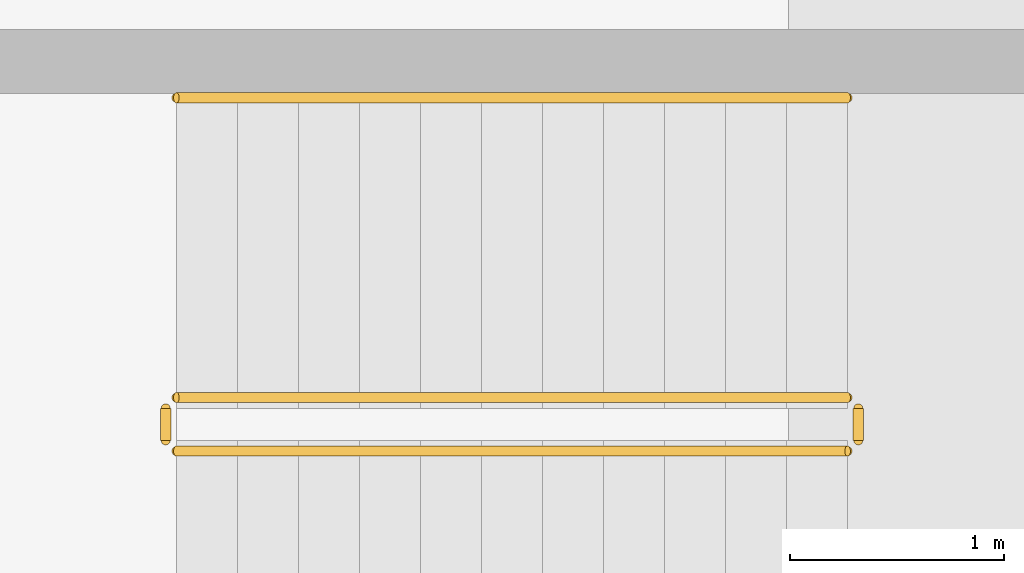
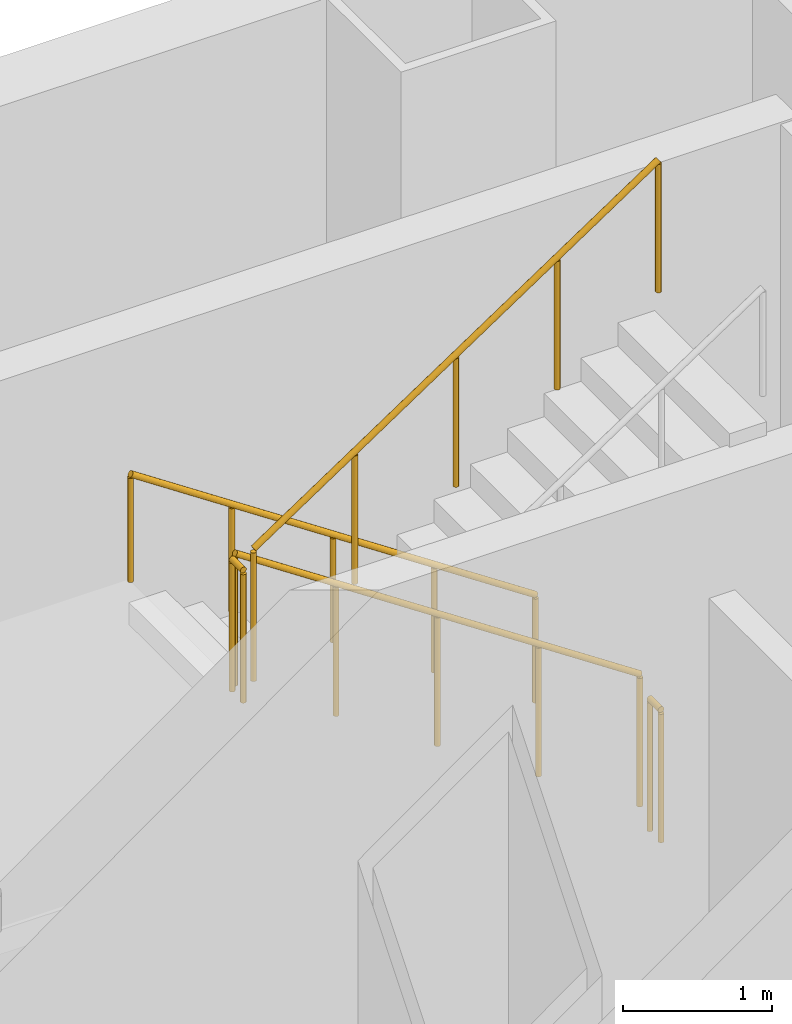
# One storey, part 10 of 11: 5 railings.
"""IFC4 building model written with IfcOpenShell, lengths in metres."""

import ifcopenshell
import ifcopenshell.guid

model = None  # the IFC model being written
_history = None  # IfcOwnerHistory: only IFC2X3 demands one
_inside = {}  # id of a spatial element -> (the spatial element, [elements in it])
_under = {}  # id of a project, library or spatial element -> (it, [spatial elements below it])
_declared = {}  # id of a project -> (the project, [libraries it declares])
_typed = {}  # id of a type object -> (the type object, [elements of that type])
_made_of = {}  # id of a material, layer set ... -> (it, [elements and type objects made of it])


def new_model(schema):
    """Start an empty IFC model of exactly this schema.

    Asked for "IFC4X3", IfcOpenShell would pick the latest addendum, in which some entities
    have other attributes; the version numbers below select the first issue.
    IFC2X3 requires an IfcOwnerHistory on every rooted entity: one is made here for all.
    """
    global model, _history
    if schema == "IFC4X3":
        model = ifcopenshell.file(schema_version=(4, 3, 0, 0))
    else:
        model = ifcopenshell.file(schema=schema)
    _inside.clear()
    _under.clear()
    _declared.clear()
    _typed.clear()
    _made_of.clear()
    _history = None
    if model.schema == "IFC2X3":
        org = make("IfcOrganization", Name="unknown")
        user = make(
            "IfcPersonAndOrganization",
            ThePerson=make("IfcPerson", FamilyName="unknown"),
            TheOrganization=org,
        )
        app = make(
            "IfcApplication",
            ApplicationDeveloper=org,
            Version="unknown",
            ApplicationFullName="unknown",
            ApplicationIdentifier="unknown",
        )
        _history = make(
            "IfcOwnerHistory",
            OwningUser=user,
            OwningApplication=app,
            ChangeAction="ADDED",
            CreationDate=0,
        )
    return model


def make(cls, **values):
    """One entity of the class cls with the attributes given. An attribute that is None is left unset."""
    return model.create_entity(
        cls, **{name: value for name, value in values.items() if value is not None}
    )


def rooted(cls, **values):
    """An entity with a GlobalId (a new one), such as an element, a storey or a relation."""
    return make(cls, GlobalId=ifcopenshell.guid.new(), OwnerHistory=_history, **values)


def si_unit(unit_type, name, prefix=None):
    """IfcSIUnit, for example si_unit("LENGTHUNIT", "METRE", prefix="MILLI")."""
    return make("IfcSIUnit", UnitType=unit_type, Prefix=prefix, Name=name)


def assignment(units):
    """IfcUnitAssignment: the units of a project."""
    return None if units is None else make("IfcUnitAssignment", Units=units)


def point(xyz):
    """IfcCartesianPoint."""
    return None if xyz is None else make("IfcCartesianPoint", Coordinates=xyz)


def direction(xyz):
    """IfcDirection."""
    return None if xyz is None else make("IfcDirection", DirectionRatios=xyz)


def frame(location, z_axis=None, x_axis=None):
    """IfcAxis2Placement3D, a coordinate frame: its origin and axes. An axis left out is left unset."""
    return make(
        "IfcAxis2Placement3D",
        Location=point(location),
        Axis=direction(z_axis),
        RefDirection=direction(x_axis),
    )


def frame_2d(location, x_axis=None):
    """IfcAxis2Placement2D, a coordinate frame in the plane: its origin and x axis."""
    return make(
        "IfcAxis2Placement2D", Location=point(location), RefDirection=direction(x_axis)
    )


def origin():
    """The frame at (0, 0, 0) with its axes left unset."""
    return frame((0.0, 0.0, 0.0))


def origin_2d():
    """The frame at (0, 0) in the plane with its x axis left unset."""
    return frame_2d((0.0, 0.0))


def place(relative_to, where):
    """IfcLocalPlacement: puts the frame where relative to a parent placement (None: the world)."""
    return make(
        "IfcLocalPlacement", PlacementRelTo=relative_to, RelativePlacement=where
    )


def context(
    kind, dimensions, precision=None, world=None, true_north=None, identifier=None
):
    """IfcGeometricRepresentationContext, for example the 3D "Model" context."""
    return make(
        "IfcGeometricRepresentationContext",
        ContextIdentifier=identifier,
        ContextType=kind,
        CoordinateSpaceDimension=dimensions,
        Precision=precision,
        WorldCoordinateSystem=world,
        TrueNorth=true_north,
    )


def subcontext(parent, identifier, kind, view, scale=None):
    """IfcGeometricRepresentationSubContext, for example "Body" below "Model"."""
    return make(
        "IfcGeometricRepresentationSubContext",
        ContextIdentifier=identifier,
        ContextType=kind,
        ParentContext=parent,
        TargetScale=scale,
        TargetView=view,
    )


def project(units=None, contexts=None):
    """IfcProject with its units and contexts."""
    return rooted(
        "IfcProject",
        Name="project",
        RepresentationContexts=contexts,
        UnitsInContext=assignment(units),
    )


def spatial(cls, under=None, at=None, **own):
    """A site, building, storey or space (cls), placed at a placement, below another one or the project."""
    s = rooted(cls, ObjectPlacement=at, **own)
    if under is not None:
        _under.setdefault(under.id(), (under, []))[1].append(s)
    return s


def profile(cls, at=None, kind="AREA", **sizes):
    """A parametric profile (cls). Its sizes go by their IFC names, for example OverallWidth=200.0."""
    return make(cls, ProfileType=kind, Position=at, **sizes)


def circle(**sizes):
    """IfcCircleProfileDef."""
    return profile("IfcCircleProfileDef", **sizes)


def extrude(swept, where, along, depth):
    """IfcExtrudedAreaSolid: the profile swept, set in the frame where, extruded along a direction by depth."""
    return make(
        "IfcExtrudedAreaSolid",
        SweptArea=swept,
        Position=where,
        ExtrudedDirection=direction(along),
        Depth=depth,
    )


def shape(context_of_items, identifier, shape_type, items):
    """IfcShapeRepresentation: the items that make up one representation, for example the "Body"."""
    return make(
        "IfcShapeRepresentation",
        ContextOfItems=context_of_items,
        RepresentationIdentifier=identifier,
        RepresentationType=shape_type,
        Items=items,
    )


def material(Name=None, Category=None):
    """IfcMaterial."""
    return make("IfcMaterial", Name=Name, Category=Category)


def made_of(thing, what):
    """Note that an element or type object is made of a material, layer set ...; save() writes the relation."""
    if what is not None:
        _made_of.setdefault(what.id(), (what, []))[1].append(thing)
    return thing


def type_object(cls, material=None, **own):
    """A type object (cls), such as IfcWallType, which elements share."""
    return made_of(rooted(cls, **own), material)


def element(
    cls,
    number,
    at=None,
    inside=None,
    cuts=None,
    type_object=None,
    material=None,
    context=None,
    identifier="Body",
    shape_type=None,
    held_by="IfcProductDefinitionShape",
    body=None,
    shapes=None,
    **own,
):
    """One element of the class cls, such as IfcWall. Its Tag is "e" and its number.

    at: its placement. inside: the storey or other place that contains it. cuts: it is an
    opening in that element (IfcRelVoidsElement). A single representation is given by context,
    identifier, shape_type and body (its items); several are given by shapes. held_by: the class
    of the entity that holds the representations. save() writes the other relations.
    """
    e = rooted(cls, Tag="e%d" % number, ObjectPlacement=at, **own)
    if body is not None:
        shapes = [shape(context, identifier, shape_type, body)]
    if shapes is not None:
        e.Representation = make(held_by, Representations=shapes)
    if inside is not None:
        _inside.setdefault(inside.id(), (inside, []))[1].append(e)
    if cuts is not None:
        rooted(
            "IfcRelVoidsElement", RelatingBuildingElement=cuts, RelatedOpeningElement=e
        )
    if type_object is not None:
        _typed.setdefault(type_object.id(), (type_object, []))[1].append(e)
    return made_of(e, material)


def aggregate(whole, parts):
    """IfcRelAggregates: a whole, such as a stair, and the parts it consists of."""
    return rooted("IfcRelAggregates", RelatingObject=whole, RelatedObjects=parts)


def save(model, path):
    """Write the relations noted so far, then the file.

    IfcRelAggregates (storeys below a building ...), IfcRelContainedInSpatialStructure (elements
    in a storey), IfcRelDefinesByType, IfcRelAssociatesMaterial and IfcRelDeclares: one each for
    every whole, place, type object, material and project.
    """
    for whole, parts in _under.values():
        aggregate(whole, parts)
    for where, things in _inside.values():
        rooted(
            "IfcRelContainedInSpatialStructure",
            RelatedElements=things,
            RelatingStructure=where,
        )
    for kind, things in _typed.values():
        rooted("IfcRelDefinesByType", RelatedObjects=things, RelatingType=kind)
    for what, things in _made_of.values():
        rooted("IfcRelAssociatesMaterial", RelatedObjects=things, RelatingMaterial=what)
    for by, libraries in _declared.values():
        rooted("IfcRelDeclares", RelatingContext=by, RelatedDefinitions=libraries)
    model.write(path)


model = new_model("IFC4")

# Units and contexts
model_context = context("Model", 3, precision=1e-05, world=origin(), true_north=direction((0.0, 1.0)))
body_context = subcontext(model_context, "Body", "Model", "MODEL_VIEW")
ifc_project = project(units=[si_unit("LENGTHUNIT", "METRE"), si_unit("AREAUNIT", "SQUARE_METRE"), si_unit("VOLUMEUNIT", "CUBIC_METRE"), si_unit("PLANEANGLEUNIT", "RADIAN"), si_unit("MASSUNIT", "GRAM", prefix="KILO")], contexts=[model_context])

# Site, building, storey
site_placement = place(None, origin())
site = spatial("IfcSite", under=ifc_project, at=site_placement, CompositionType="ELEMENT")
building_placement = place(site_placement, origin())
building = spatial("IfcBuilding", under=site, at=building_placement, Name="Cobrela Telecom Tower", CompositionType="ELEMENT")
storey_placement = place(building_placement, frame((0.0, 0.0, -9.10009765625)))
storey = spatial("IfcBuildingStorey", under=building, at=storey_placement, Name="B2", CompositionType="ELEMENT", Elevation=-9.10009765625)

# Railings
ifc_material = material(Name="Steel ASTM A36", Category="steel")
railing_type_1 = type_object("IfcRailingType", Name="RAIL-GUARD-1100", PredefinedType="GUARDRAIL", material=ifc_material)
railing_1_placement = place(storey_placement, frame((28.199951171875, 45.699951171875, 0.189697265625)))
element("IfcRailing", 1, at=railing_1_placement, inside=storey, type_object=railing_type_1, Name="B2 ST3 stair guard 1", PredefinedType="GUARDRAIL", context=body_context, shape_type="SweptSolid", body=[
    extrude(circle(Radius=0.02392578125, at=origin_2d()), frame((0.0, 0.0, 1.076171875), z_axis=(-0.832608492644, 0.0, 0.553861984593), x_axis=(0.0, -1.0, 0.0)), (0.0, 0.0, 1.0), 3.765380859375),
    extrude(circle(Radius=0.02099609375, at=origin_2d()), origin(), (0.0, 0.0, 1.0), 1.052001953125),
    extrude(circle(Radius=0.02099609375, at=origin_2d()), frame((-0.78369140625, 0.0, 0.521484375)), (0.0, 0.0, 1.0), 1.052001953125),
    extrude(circle(Radius=0.02099609375, at=origin_2d()), frame((-1.5673828125, 0.0, 1.042724609375)), (0.0, 0.0, 1.0), 1.052001953125),
    extrude(circle(Radius=0.02099609375, at=origin_2d()), frame((-2.351318359375, 0.0, 1.56396484375)), (0.0, 0.0, 1.0), 1.052001953125),
    extrude(circle(Radius=0.02099609375, at=origin_2d()), frame((-3.135009765625, 0.0, 2.08544921875)), (0.0, 0.0, 1.0), 1.052001953125),
])
railing_2_placement = place(storey_placement, frame((25.014892578125, 45.64990234375, 2.275146484375)))
element("IfcRailing", 2, at=railing_2_placement, inside=storey, type_object=railing_type_1, Name="B2 ST3 stair guard 2", PredefinedType="GUARDRAIL", context=body_context, shape_type="SweptSolid", body=[
    extrude(circle(Radius=0.02392578125, at=origin_2d()), frame((0.0, 0.0, 1.076171875), z_axis=(0.0, -1.0, 0.0), x_axis=(1.0, 0.0, 0.0)), (0.0, 0.0, 1.0), 0.14990234375),
    extrude(circle(Radius=0.02099609375, at=origin_2d()), origin(), (0.0, 0.0, 1.0), 1.052001953125),
    extrude(circle(Radius=0.02099609375, at=origin_2d()), frame((0.0, -0.14990234375, 0.0)), (0.0, 0.0, 1.0), 1.052001953125),
])
railing_3_placement = place(storey_placement, frame((25.06494140625, 45.449951171875, 2.464599609375)))
element("IfcRailing", 3, at=railing_3_placement, inside=storey, type_object=railing_type_1, Name="B2 ST3 stair guard 4", PredefinedType="GUARDRAIL", context=body_context, shape_type="SweptSolid", body=[
    extrude(circle(Radius=0.02392578125, at=origin_2d()), frame((0.0, 0.0, 1.076171875), z_axis=(0.832608492644, 0.0, 0.553861984593), x_axis=(0.0, 1.0, 0.0)), (0.0, 0.0, 1.0), 3.765380859375),
    extrude(circle(Radius=0.02099609375, at=origin_2d()), origin(), (0.0, 0.0, 1.0), 1.052001953125),
    extrude(circle(Radius=0.02099609375, at=origin_2d()), frame((0.78369140625, 0.0, 0.521484375)), (0.0, 0.0, 1.0), 1.052001953125),
    extrude(circle(Radius=0.02099609375, at=origin_2d()), frame((1.5673828125, 0.0, 1.042724609375)), (0.0, 0.0, 1.0), 1.052001953125),
    extrude(circle(Radius=0.02099609375, at=origin_2d()), frame((2.351318359375, 0.0, 1.56396484375)), (0.0, 0.0, 1.0), 1.052001953125),
    extrude(circle(Radius=0.02099609375, at=origin_2d()), frame((3.135009765625, 0.0, 2.08544921875)), (0.0, 0.0, 1.0), 1.052001953125),
])
railing_4_placement = place(storey_placement, frame((28.25, 45.64990234375, 0.0)))
element("IfcRailing", 4, at=railing_4_placement, inside=storey, type_object=railing_type_1, Name="B2 ST3 stair guard 5", PredefinedType="GUARDRAIL", context=body_context, shape_type="SweptSolid", body=[
    extrude(circle(Radius=0.02392578125, at=origin_2d()), frame((0.0, 0.0, 1.076171875), z_axis=(0.0, -1.0, 0.0), x_axis=(1.0, 0.0, 0.0)), (0.0, 0.0, 1.0), 0.14990234375),
    extrude(circle(Radius=0.02099609375, at=origin_2d()), origin(), (0.0, 0.0, 1.0), 1.052001953125),
    extrude(circle(Radius=0.02099609375, at=origin_2d()), frame((0.0, -0.14990234375, 0.0)), (0.0, 0.0, 1.0), 1.052001953125),
])
railing_type_2 = type_object("IfcRailingType", Name="RAIL-HAND-920", PredefinedType="HANDRAIL", material=ifc_material)
railing_5_placement = place(storey_placement, frame((28.199951171875, 47.10009765625, 0.189697265625)))
element("IfcRailing", 5, at=railing_5_placement, inside=storey, type_object=railing_type_2, Name="B2 ST3 stair handrail 1", PredefinedType="HANDRAIL", context=body_context, shape_type="SweptSolid", body=[
    extrude(circle(Radius=0.02392578125, at=origin_2d()), frame((0.0, 0.0, 0.8759765625), z_axis=(-0.832608492644, 0.0, 0.553861984593), x_axis=(0.0, -1.0, 0.0)), (0.0, 0.0, 1.0), 3.765380859375),
    extrude(circle(Radius=0.02099609375, at=origin_2d()), origin(), (0.0, 0.0, 1.0), 0.851806640625),
    extrude(circle(Radius=0.02099609375, at=origin_2d()), frame((-0.78369140625, 0.0, 0.521484375)), (0.0, 0.0, 1.0), 0.851806640625),
    extrude(circle(Radius=0.02099609375, at=origin_2d()), frame((-1.5673828125, 0.0, 1.042724609375)), (0.0, 0.0, 1.0), 0.851806640625),
    extrude(circle(Radius=0.02099609375, at=origin_2d()), frame((-2.351318359375, 0.0, 1.56396484375)), (0.0, 0.0, 1.0), 0.851806640625),
    extrude(circle(Radius=0.02099609375, at=origin_2d()), frame((-3.135009765625, 0.0, 2.08544921875)), (0.0, 0.0, 1.0), 0.851806640625),
])

save(model, "model.ifc")
